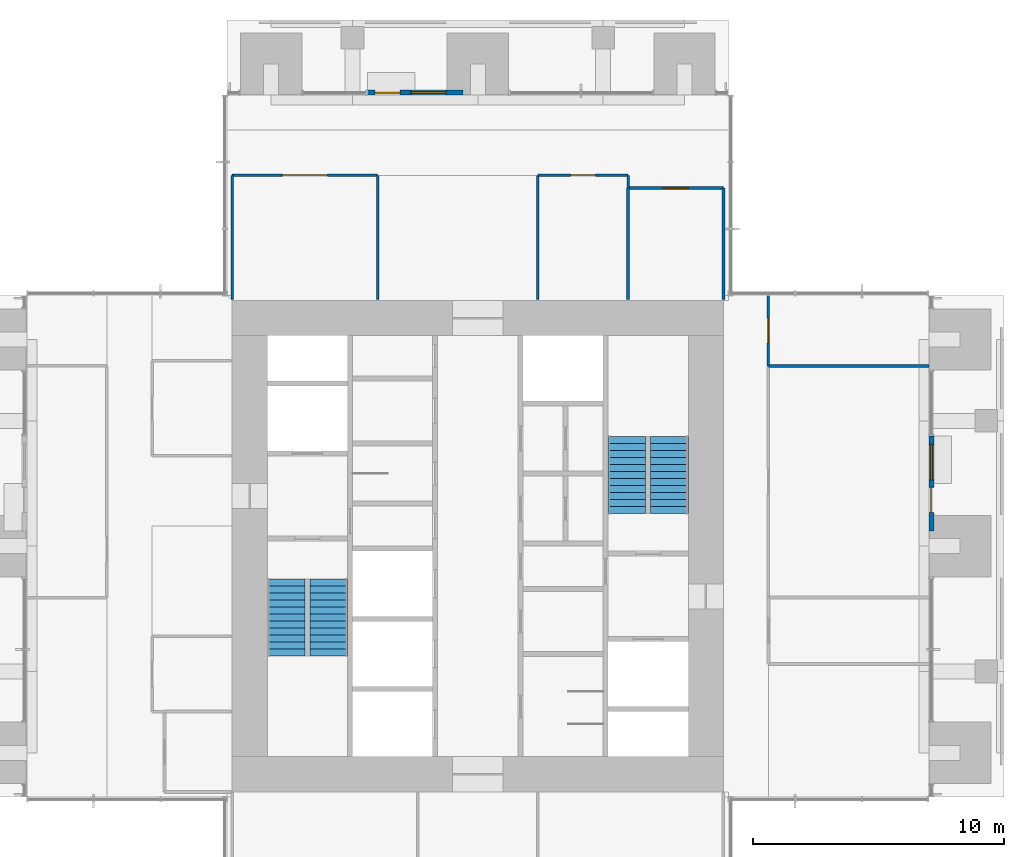
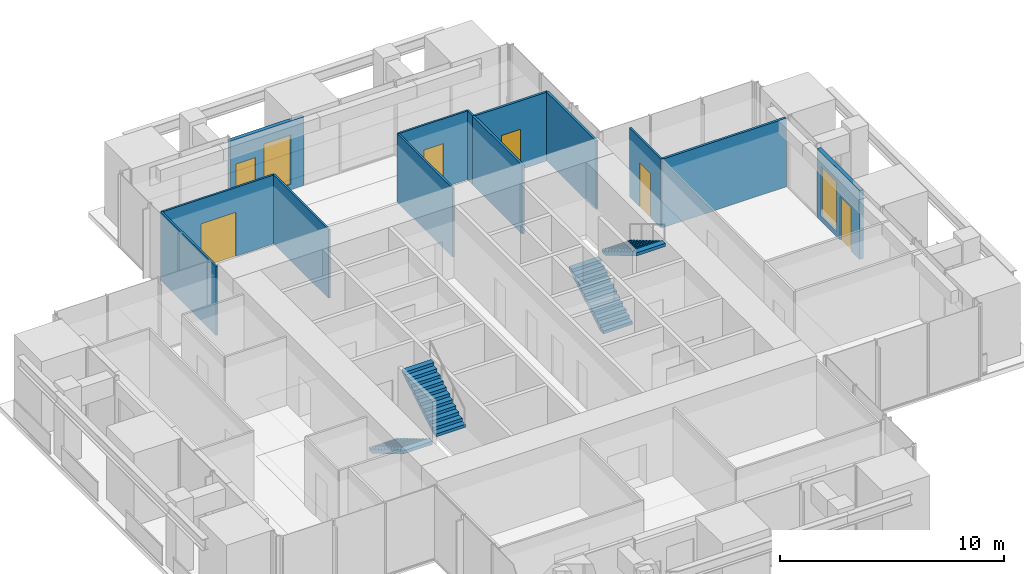
# One storey, part 14 of 17: 13 walls, 6 doors, 4 stair flights, 2 windows, 8 openings, 2 elements without a shape of their own.
"""IFC4 building model written with IfcOpenShell, lengths in metres."""

from ifc_helpers import new_model, si_unit, direction, frame, frame_2d, origin, place, context, subcontext, project, spatial, polyline, rectangle, outline, extrude, material, layer, layer_set, type_object, element, fill, aggregate, save


model = new_model("IFC4")

# Units and contexts
model_context = context("Model", 3, precision=1e-05, world=origin(), true_north=direction((0.0, 1.0)))
body_context = subcontext(model_context, "Body", "Model", "MODEL_VIEW")
ifc_project = project(units=[si_unit("LENGTHUNIT", "METRE"), si_unit("AREAUNIT", "SQUARE_METRE"), si_unit("VOLUMEUNIT", "CUBIC_METRE"), si_unit("PLANEANGLEUNIT", "RADIAN"), si_unit("MASSUNIT", "GRAM", prefix="KILO")], contexts=[model_context])

# Site, building, storey
site_placement = place(None, origin())
site = spatial("IfcSite", under=ifc_project, at=site_placement, CompositionType="ELEMENT")
building_placement = place(site_placement, origin())
building = spatial("IfcBuilding", under=site, at=building_placement, Name="Svetlomir Tower", CompositionType="ELEMENT")
storey_placement = place(building_placement, frame((0.0, 0.0, 214.5)))
storey = spatial("IfcBuildingStorey", under=building, at=storey_placement, Name="L51", CompositionType="ELEMENT", Elevation=214.5)

# Wall, openings, door, window
ifc_material_1 = material(Name="Bronze anodised aluminium glazed screen", Category="aluminium")
ifc_layer_1 = layer(ifc_material_1, 0.199951171875)
ifc_layer_set_1 = layer_set([ifc_layer_1], Name="Bronze anodised aluminium glazed screen")
wall_type_1 = type_object("IfcWallType", Name="BALCONY SCREEN WALL 200", PredefinedType="USERDEFINED", material=ifc_layer_set_1)
wall_1_placement = place(storey_placement, frame((39.10009765625, 21.60009765625, 0.0), z_axis=(0.0, 0.0, 1.0), x_axis=(0.0, 1.0, 0.0)))
wall_1 = element("IfcWall", 1, at=wall_1_placement, inside=storey, type_object=wall_type_1, Name="Balcony screen E", ObjectType="GLAZED SCREEN", PredefinedType="USERDEFINED", context=body_context, shape_type="SweptSolid", body=[
    extrude(rectangle(XDim=3.7998046875, YDim=0.199951171875, at=frame_2d((1.89990234375, 0.0))), origin(), (0.0, 0.0, 1.0), 3.75),
])
opening_1_placement = place(wall_1_placement, frame((0.75, 0.0, 0.0)))
opening_1 = element("IfcOpeningElement", 2, at=opening_1_placement, cuts=wall_1, Name="Opening BD", PredefinedType="OPENING", context=body_context, shape_type="SweptSolid", body=[
    extrude(rectangle(XDim=1.0, YDim=2.39990234375, at=frame_2d((0.5, 1.199951171875))), frame((0.0, 0.10986328125, 0.0), z_axis=(0.0, -1.0, 0.0), x_axis=(1.0, 0.0, 0.0)), (0.0, 0.0, 1.0), 0.219970703125),
])
opening_2_placement = place(wall_1_placement, frame((2.050048828125, 0.0, 0.300048828125)))
opening_2 = element("IfcOpeningElement", 3, at=opening_2_placement, cuts=wall_1, Name="Opening WS2", PredefinedType="OPENING", context=body_context, shape_type="SweptSolid", body=[
    extrude(rectangle(XDim=1.39990234375, YDim=2.699951171875, at=frame_2d((0.699951171875, 1.35009765625))), frame((0.0, 0.10986328125, 0.0), z_axis=(0.0, -1.0, 0.0), x_axis=(1.0, 0.0, 0.0)), (0.0, 0.0, 1.0), 0.219970703125),
])
ifc_material_2 = material(Name="Bronze anodised aluminium glazed door", Category="aluminium")
door_type_1 = type_object("IfcDoorType", Name="BALCONY DOOR BD 1000x2400", OperationType="SINGLE_SWING_LEFT", PredefinedType="DOOR", material=ifc_material_2)
door_1_placement = place(opening_1_placement, origin())
door_1 = element("IfcDoor", 4, at=door_1_placement, inside=storey, type_object=door_type_1, Name="Balcony screen E door", OperationType="SINGLE_SWING_LEFT", OverallHeight=2.39990234375, OverallWidth=1.0, PredefinedType="DOOR", context=body_context, shape_type="SweptSolid", body=[
    extrude(rectangle(XDim=1.0, YDim=2.39990234375, at=frame_2d((0.5, 1.199951171875))), frame((0.0, 0.02490234375, 0.0), z_axis=(0.0, -1.0, 0.0), x_axis=(1.0, 0.0, 0.0)), (0.0, 0.0, 1.0), 0.050048828125),
])
fill(opening_1, door_1)
ifc_material_3 = material(Name="Bronze anodised aluminium window", Category="aluminium")
window_type = type_object("IfcWindowType", Name="SCREEN WINDOW WS2 1400x2700", PartitioningType="SINGLE_PANEL", PredefinedType="WINDOW", material=ifc_material_3)
window_1_placement = place(opening_2_placement, origin())
window_1 = element("IfcWindow", 5, at=window_1_placement, inside=storey, type_object=window_type, Name="Balcony screen E window 1", OverallHeight=2.699951171875, OverallWidth=1.39990234375, PartitioningType="SINGLE_PANEL", PredefinedType="WINDOW", context=body_context, shape_type="SweptSolid", body=[
    extrude(rectangle(XDim=1.39990234375, YDim=2.699951171875, at=frame_2d((0.699951171875, 1.35009765625))), frame((0.0, 0.030029296875, 0.0), z_axis=(0.0, -1.0, 0.0), x_axis=(1.0, 0.0, 0.0)), (0.0, 0.0, 1.0), 0.06005859375),
])
fill(opening_2, window_1)

wall_2_placement = place(storey_placement, frame((20.39990234375, 39.10009765625, 0.0), z_axis=(0.0, 0.0, 1.0), x_axis=(-1.0, 0.0, 0.0)))
wall_2 = element("IfcWall", 6, at=wall_2_placement, inside=storey, type_object=wall_type_1, Name="Balcony screen N", ObjectType="GLAZED SCREEN", PredefinedType="USERDEFINED", context=body_context, shape_type="SweptSolid", body=[
    extrude(rectangle(XDim=3.7998046875, YDim=0.199951171875, at=frame_2d((1.89990234375, 0.0))), origin(), (0.0, 0.0, 1.0), 3.75),
])
opening_3_placement = place(wall_2_placement, frame((2.5, 0.0, 0.0)))
opening_3 = element("IfcOpeningElement", 7, at=opening_3_placement, cuts=wall_2, Name="Opening BD", PredefinedType="OPENING", context=body_context, shape_type="SweptSolid", body=[
    extrude(rectangle(XDim=1.0, YDim=2.39990234375, at=frame_2d((0.5, 1.199951171875))), frame((0.0, 0.10986328125, 0.0), z_axis=(0.0, -1.0, 0.0), x_axis=(1.0, 0.0, 0.0)), (0.0, 0.0, 1.0), 0.219970703125),
])
opening_4_placement = place(wall_2_placement, frame((0.675048828125, 0.0, 0.300048828125)))
opening_4 = element("IfcOpeningElement", 8, at=opening_4_placement, cuts=wall_2, Name="Opening WS2", PredefinedType="OPENING", context=body_context, shape_type="SweptSolid", body=[
    extrude(rectangle(XDim=1.39990234375, YDim=2.699951171875, at=frame_2d((0.699951171875, 1.35009765625))), frame((0.0, 0.10986328125, 0.0), z_axis=(0.0, -1.0, 0.0), x_axis=(1.0, 0.0, 0.0)), (0.0, 0.0, 1.0), 0.219970703125),
])
door_2_placement = place(opening_3_placement, origin())
door_2 = element("IfcDoor", 9, at=door_2_placement, inside=storey, type_object=door_type_1, Name="Balcony screen N door", OperationType="SINGLE_SWING_LEFT", OverallHeight=2.39990234375, OverallWidth=1.0, PredefinedType="DOOR", context=body_context, shape_type="SweptSolid", body=[
    extrude(rectangle(XDim=1.0, YDim=2.39990234375, at=frame_2d((0.5, 1.199951171875))), frame((0.0, 0.02490234375, 0.0), z_axis=(0.0, -1.0, 0.0), x_axis=(1.0, 0.0, 0.0)), (0.0, 0.0, 1.0), 0.050048828125),
])
fill(opening_3, door_2)
window_2_placement = place(opening_4_placement, origin())
window_2 = element("IfcWindow", 10, at=window_2_placement, inside=storey, type_object=window_type, Name="Balcony screen N window 1", OverallHeight=2.699951171875, OverallWidth=1.39990234375, PartitioningType="SINGLE_PANEL", PredefinedType="WINDOW", context=body_context, shape_type="SweptSolid", body=[
    extrude(rectangle(XDim=1.39990234375, YDim=2.699951171875, at=frame_2d((0.699951171875, 1.35009765625))), frame((0.0, 0.030029296875, 0.0), z_axis=(0.0, -1.0, 0.0), x_axis=(1.0, 0.0, 0.0)), (0.0, 0.0, 1.0), 0.06005859375),
])
fill(opening_4, window_2)

# Wall
ifc_material_4 = material(Name="Framed laminated glass partition", Category="glass")
ifc_layer_2 = layer(ifc_material_4, 0.10009765625)
ifc_layer_set_2 = layer_set([ifc_layer_2], Name="Framed laminated glass partition")
wall_type_2 = type_object("IfcWallType", Name="GLAZED PARTITION 100", PredefinedType="PARTITIONING", material=ifc_layer_set_2)
wall_3_placement = place(storey_placement, frame((11.199951171875, 30.85009765625, 0.0), z_axis=(0.0, 0.0, 1.0), x_axis=(0.0, 1.0, 0.0)))
element("IfcWall", 11, at=wall_3_placement, inside=storey, type_object=wall_type_2, Name="Glazed partition L51", PredefinedType="PARTITIONING", context=body_context, shape_type="SweptSolid", body=[
    extrude(rectangle(XDim=4.949951171875, YDim=0.10009765625, at=frame_2d((2.47509765625, 0.0))), origin(), (0.0, 0.0, 1.0), 3.75),
])

# Wall, opening, door
wall_4_placement = place(storey_placement, frame((11.199951171875, 35.800048828125, 0.0), z_axis=(0.0, 0.0, 1.0), x_axis=(1.0, 0.0, 0.0)))
wall_4 = element("IfcWall", 12, at=wall_4_placement, inside=storey, type_object=wall_type_2, Name="Glazed partition L51", PredefinedType="PARTITIONING", context=body_context, shape_type="SweptSolid", body=[
    extrude(rectangle(XDim=5.800048828125, YDim=0.10009765625, at=frame_2d((2.89990234375, 0.0))), origin(), (0.0, 0.0, 1.0), 3.75),
])
opening_5_placement = place(wall_4_placement, frame((2.0, 0.0, 0.0)))
opening_5 = element("IfcOpeningElement", 13, at=opening_5_placement, cuts=wall_4, Name="Opening DD", PredefinedType="OPENING", context=body_context, shape_type="SweptSolid", body=[
    extrude(rectangle(XDim=1.800048828125, YDim=2.39990234375, at=frame_2d((0.89990234375, 1.199951171875))), frame((0.0, 0.06005859375, 0.0), z_axis=(0.0, -1.0, 0.0), x_axis=(1.0, 0.0, 0.0)), (0.0, 0.0, 1.0), 0.1201171875),
])
ifc_material_5 = material(Name="Timber door", Category="wood")
door_type_2 = type_object("IfcDoorType", Name="DOOR DD 1800x2400", OperationType="DOUBLE_DOOR_SINGLE_SWING", PredefinedType="DOOR", material=ifc_material_5)
door_3_placement = place(opening_5_placement, origin())
door_3 = element("IfcDoor", 14, at=door_3_placement, inside=storey, type_object=door_type_2, Name="Training room, 14 seats door L51", OperationType="DOUBLE_DOOR_SINGLE_SWING", OverallHeight=2.39990234375, OverallWidth=1.800048828125, PredefinedType="DOOR", context=body_context, shape_type="SweptSolid", body=[
    extrude(rectangle(XDim=1.800048828125, YDim=2.39990234375, at=frame_2d((0.89990234375, 1.199951171875))), frame((0.0, 0.02490234375, 0.0), z_axis=(0.0, -1.0, 0.0), x_axis=(1.0, 0.0, 0.0)), (0.0, 0.0, 1.0), 0.050048828125),
])
fill(opening_5, door_3)

# Walls
for number, where, z_axis, x_axis, name in (
    (15, (17.0, 30.85009765625, 0.0), (0.0, 0.0, 1.0), (0.0, 1.0, 0.0), "Glazed partition L51"),
    (16, (23.39990234375, 30.85009765625, 0.0), (0.0, 0.0, 1.0), (0.0, 1.0, 0.0), "Glazed partition L51"),
):
    element("IfcWall", number, at=place(storey_placement, frame(where, z_axis=z_axis, x_axis=x_axis)), inside=storey, type_object=wall_type_2, Name=name, PredefinedType="PARTITIONING", context=body_context, shape_type="SweptSolid", body=[
        extrude(rectangle(XDim=4.949951171875, YDim=0.10009765625, at=frame_2d((2.47509765625, 0.0))), origin(), (0.0, 0.0, 1.0), 3.75),
    ])

# Wall, opening, door
wall_5_placement = place(storey_placement, frame((23.39990234375, 35.800048828125, 0.0), z_axis=(0.0, 0.0, 1.0), x_axis=(1.0, 0.0, 0.0)))
wall_5 = element("IfcWall", 17, at=wall_5_placement, inside=storey, type_object=wall_type_2, Name="Glazed partition L51", PredefinedType="PARTITIONING", context=body_context, shape_type="SweptSolid", body=[
    extrude(rectangle(XDim=3.60009765625, YDim=0.10009765625, at=frame_2d((1.800048828125, 0.0))), origin(), (0.0, 0.0, 1.0), 3.75),
])
opening_6_placement = place(wall_5_placement, frame((1.300048828125, 0.0, 0.0)))
opening_6 = element("IfcOpeningElement", 18, at=opening_6_placement, cuts=wall_5, Name="Opening DG", PredefinedType="OPENING", context=body_context, shape_type="SweptSolid", body=[
    extrude(rectangle(XDim=1.0, YDim=2.39990234375, at=frame_2d((0.5, 1.199951171875))), frame((0.0, 0.06005859375, 0.0), z_axis=(0.0, -1.0, 0.0), x_axis=(1.0, 0.0, 0.0)), (0.0, 0.0, 1.0), 0.1201171875),
])
ifc_material_6 = material(Name="Framed laminated glass door", Category="glass")
door_type_3 = type_object("IfcDoorType", Name="GLAZED DOOR DG 1000x2400", OperationType="SINGLE_SWING_LEFT", PredefinedType="DOOR", material=ifc_material_6)
door_4_placement = place(opening_6_placement, origin())
door_4 = element("IfcDoor", 19, at=door_4_placement, inside=storey, type_object=door_type_3, Name="Meeting room, 6 seats door L51", OperationType="SINGLE_SWING_RIGHT", OverallHeight=2.39990234375, OverallWidth=1.0, PredefinedType="DOOR", context=body_context, shape_type="SweptSolid", body=[
    extrude(rectangle(XDim=1.0, YDim=2.39990234375, at=frame_2d((0.5, 1.199951171875))), frame((0.0, 0.02490234375, 0.0), z_axis=(0.0, -1.0, 0.0), x_axis=(1.0, 0.0, 0.0)), (0.0, 0.0, 1.0), 0.050048828125),
])
fill(opening_6, door_4)

# Wall
wall_6_placement = place(storey_placement, frame((27.0, 35.300048828125, 0.0), z_axis=(0.0, 0.0, 1.0), x_axis=(0.0, 1.0, 0.0)))
element("IfcWall", 20, at=wall_6_placement, inside=storey, type_object=wall_type_2, Name="Glazed partition L51", PredefinedType="PARTITIONING", context=body_context, shape_type="SweptSolid", body=[
    extrude(rectangle(XDim=0.5, YDim=0.10009765625, at=frame_2d((0.25, 0.0))), origin(), (0.0, 0.0, 1.0), 3.75),
])

# Wall, opening, door
wall_7_placement = place(storey_placement, frame((32.60009765625, 28.199951171875, 0.0), z_axis=(0.0, 0.0, 1.0), x_axis=(0.0, 1.0, 0.0)))
wall_7 = element("IfcWall", 21, at=wall_7_placement, inside=storey, type_object=wall_type_2, Name="Glazed partition L51", PredefinedType="PARTITIONING", context=body_context, shape_type="SweptSolid", body=[
    extrude(rectangle(XDim=2.800048828125, YDim=0.10009765625, at=frame_2d((1.39990234375, 0.0))), origin(), (0.0, 0.0, 1.0), 3.75),
])
opening_7_placement = place(wall_7_placement, frame((0.89990234375, 0.0, 0.0)))
opening_7 = element("IfcOpeningElement", 22, at=opening_7_placement, cuts=wall_7, Name="Opening DG", PredefinedType="OPENING", context=body_context, shape_type="SweptSolid", body=[
    extrude(rectangle(XDim=1.0, YDim=2.39990234375, at=frame_2d((0.5, 1.199951171875))), frame((0.0, 0.06005859375, 0.0), z_axis=(0.0, -1.0, 0.0), x_axis=(1.0, 0.0, 0.0)), (0.0, 0.0, 1.0), 0.1201171875),
])
door_5_placement = place(opening_7_placement, origin())
door_5 = element("IfcDoor", 23, at=door_5_placement, inside=storey, type_object=door_type_3, Name="Coaching room door L51", OperationType="SINGLE_SWING_RIGHT", OverallHeight=2.39990234375, OverallWidth=1.0, PredefinedType="DOOR", context=body_context, shape_type="SweptSolid", body=[
    extrude(rectangle(XDim=1.0, YDim=2.39990234375, at=frame_2d((0.5, 1.199951171875))), frame((0.0, 0.02490234375, 0.0), z_axis=(0.0, -1.0, 0.0), x_axis=(1.0, 0.0, 0.0)), (0.0, 0.0, 1.0), 0.050048828125),
])
fill(opening_7, door_5)

# Wall
ifc_material_7 = material(Name="Gypsum board on steel studs", Category="steel")
ifc_layer_3 = layer(ifc_material_7, 0.1201171875)
ifc_layer_set_3 = layer_set([ifc_layer_3], Name="Gypsum board on steel studs")
wall_type_3 = type_object("IfcWallType", Name="PARTITION 120", PredefinedType="PARTITIONING", material=ifc_layer_set_3)
wall_8_placement = place(storey_placement, frame((27.0, 30.85009765625, 0.0), z_axis=(0.0, 0.0, 1.0), x_axis=(0.0, 1.0, 0.0)))
element("IfcWall", 24, at=wall_8_placement, inside=storey, type_object=wall_type_3, Name="Partition L51", PredefinedType="PARTITIONING", context=body_context, shape_type="SweptSolid", body=[
    extrude(rectangle(XDim=4.449951171875, YDim=0.1201171875, at=frame_2d((2.22509765625, 0.0))), origin(), (0.0, 0.0, 1.0), 3.75),
])

# Wall, opening, door
wall_9_placement = place(storey_placement, frame((27.0, 35.300048828125, 0.0), z_axis=(0.0, 0.0, 1.0), x_axis=(1.0, 0.0, 0.0)))
wall_9 = element("IfcWall", 25, at=wall_9_placement, inside=storey, type_object=wall_type_3, Name="Partition L51", PredefinedType="PARTITIONING", context=body_context, shape_type="SweptSolid", body=[
    extrude(rectangle(XDim=3.800048828125, YDim=0.1201171875, at=frame_2d((1.89990234375, 0.0))), origin(), (0.0, 0.0, 1.0), 3.75),
])
opening_8_placement = place(wall_9_placement, frame((1.39990234375, 0.0, 0.0)))
opening_8 = element("IfcOpeningElement", 26, at=opening_8_placement, cuts=wall_9, Name="Opening DR", PredefinedType="OPENING", context=body_context, shape_type="SweptSolid", body=[
    extrude(rectangle(XDim=1.0, YDim=2.199951171875, at=frame_2d((0.5, 1.10009765625))), frame((0.0, 0.070068359375, 0.0), z_axis=(0.0, -1.0, 0.0), x_axis=(1.0, 0.0, 0.0)), (0.0, 0.0, 1.0), 0.14013671875),
])
ifc_material_8 = material(Name="Timber door, glazed side light", Category="wood")
door_type_4 = type_object("IfcDoorType", Name="DOOR DR 1000x2200", OperationType="SINGLE_SWING_LEFT", PredefinedType="DOOR", material=ifc_material_8)
door_6_placement = place(opening_8_placement, origin())
door_6 = element("IfcDoor", 27, at=door_6_placement, inside=storey, type_object=door_type_4, Name="Training store door L51", OperationType="SINGLE_SWING_LEFT", OverallHeight=2.199951171875, OverallWidth=1.0, PredefinedType="DOOR", context=body_context, shape_type="SweptSolid", body=[
    extrude(rectangle(XDim=1.0, YDim=2.199951171875, at=frame_2d((0.5, 1.10009765625))), frame((0.0, 0.02490234375, 0.0), z_axis=(0.0, -1.0, 0.0), x_axis=(1.0, 0.0, 0.0)), (0.0, 0.0, 1.0), 0.050048828125),
])
fill(opening_8, door_6)

# Walls
wall_10_placement = place(storey_placement, frame((30.800048828125, 30.85009765625, 0.0), z_axis=(0.0, 0.0, 1.0), x_axis=(0.0, 1.0, 0.0)))
element("IfcWall", 28, at=wall_10_placement, inside=storey, type_object=wall_type_3, Name="Partition L51", PredefinedType="PARTITIONING", context=body_context, shape_type="SweptSolid", body=[
    extrude(rectangle(XDim=4.449951171875, YDim=0.1201171875, at=frame_2d((2.22509765625, 0.0))), origin(), (0.0, 0.0, 1.0), 3.75),
])
wall_11_placement = place(storey_placement, frame((32.60009765625, 28.199951171875, 0.0), z_axis=(0.0, 0.0, 1.0), x_axis=(1.0, 0.0, 0.0)))
element("IfcWall", 29, at=wall_11_placement, inside=storey, type_object=wall_type_3, Name="Partition L51", PredefinedType="PARTITIONING", context=body_context, shape_type="SweptSolid", body=[
    extrude(rectangle(XDim=6.39990234375, YDim=0.1201171875, at=frame_2d((3.199951171875, 0.0))), origin(), (0.0, 0.0, 1.0), 3.75),
])

# Stair, stair flights
ifc_material_9 = material(Name="Concrete C60/75", Category="concrete")
stair_type = type_object("IfcStairType", Name="EXIT STAIR 3200 RISE 4000", PredefinedType="HALF_TURN_STAIR", material=ifc_material_9)
stair_1_placement = place(storey_placement, origin())
stair_1 = element("IfcStair", 30, at=stair_1_placement, inside=storey, type_object=stair_type, Name="Stair S1 L51 to L52", PredefinedType="HALF_TURN_STAIR")
ifc_material_10 = material(Name="Concrete C60/75", Category="concrete")
stair_flight_type = type_object("IfcStairFlightType", Name="STAIR FLIGHT 1500 OF 12 RISERS", PredefinedType="STRAIGHT", material=ifc_material_10)
stair_flight_1_placement = place(storey_placement, frame((13.35009765625, 19.699951171875, 0.0), z_axis=(0.0, 0.0, 1.0), x_axis=(0.0, -1.0, 0.0)))
stair_flight_1 = element("IfcStairFlight", 31, at=stair_flight_1_placement, type_object=stair_flight_type, Name="S1 flight 1", NumberOfRisers=12, NumberOfTreads=11, PredefinedType="STRAIGHT", RiserHeight=0.166666667, TreadLength=0.28, context=body_context, shape_type="SweptSolid", body=[
    extrude(outline(polyline([(0.0, 0.0), (0.0, 0.166748046875), (0.280029296875, 0.166748046875), (0.280029296875, 0.333251953125), (0.56005859375, 0.333251953125), (0.56005859375, 0.5), (0.840087890625, 0.5), (0.840087890625, 0.666748046875), (1.1201171875, 0.666748046875), (1.1201171875, 0.833251953125), (1.39990234375, 0.833251953125), (1.39990234375, 1.0), (1.679931640625, 1.0), (1.679931640625, 1.166748046875), (1.9599609375, 1.166748046875), (1.9599609375, 1.333251953125), (2.239990234375, 1.333251953125), (2.239990234375, 1.5), (2.52001953125, 1.5), (2.52001953125, 1.666748046875), (2.800048828125, 1.666748046875), (2.800048828125, 1.833251953125), (3.080078125, 1.833251953125), (3.080078125, 2.0), (3.080078125, 1.658935546875), (0.29296875, 0.0), (0.0, 0.0)])), frame((0.0, 0.75, 0.0), z_axis=(0.0, -1.0, 0.0), x_axis=(1.0, 0.0, 0.0)), (0.0, 0.0, 1.0), 1.5),
])
stair_flight_2_placement = place(storey_placement, frame((15.050048828125, 16.6201171875, 2.0), z_axis=(0.0, 0.0, 1.0), x_axis=(0.0, 1.0, 0.0)))
stair_flight_2 = element("IfcStairFlight", 32, at=stair_flight_2_placement, type_object=stair_flight_type, Name="S1 flight 2", NumberOfRisers=12, NumberOfTreads=11, PredefinedType="STRAIGHT", RiserHeight=0.166666667, TreadLength=0.28, context=body_context, shape_type="SweptSolid", body=[
    extrude(outline(polyline([(0.0, 0.0), (0.0, 0.166748046875), (0.280029296875, 0.166748046875), (0.280029296875, 0.333251953125), (0.56005859375, 0.333251953125), (0.56005859375, 0.5), (0.840087890625, 0.5), (0.840087890625, 0.666748046875), (1.1201171875, 0.666748046875), (1.1201171875, 0.833251953125), (1.39990234375, 0.833251953125), (1.39990234375, 1.0), (1.679931640625, 1.0), (1.679931640625, 1.166748046875), (1.9599609375, 1.166748046875), (1.9599609375, 1.333251953125), (2.239990234375, 1.333251953125), (2.239990234375, 1.5), (2.52001953125, 1.5), (2.52001953125, 1.666748046875), (2.800048828125, 1.666748046875), (2.800048828125, 1.833251953125), (3.080078125, 1.833251953125), (3.080078125, 2.0), (3.080078125, 1.658935546875), (0.29296875, 0.0), (0.0, 0.0)])), frame((0.0, 0.75, 0.0), z_axis=(0.0, -1.0, 0.0), x_axis=(1.0, 0.0, 0.0)), (0.0, 0.0, 1.0), 1.5),
])
aggregate(stair_1, [stair_flight_1, stair_flight_2])

stair_2_placement = place(storey_placement, origin())
stair_2 = element("IfcStair", 33, at=stair_2_placement, inside=storey, type_object=stair_type, Name="Stair S2 L51 to L52", PredefinedType="HALF_TURN_STAIR")
stair_flight_3_placement = place(storey_placement, frame((26.949951171875, 22.300048828125, 0.0), z_axis=(0.0, 0.0, 1.0), x_axis=(0.0, 1.0, 0.0)))
stair_flight_3 = element("IfcStairFlight", 34, at=stair_flight_3_placement, type_object=stair_flight_type, Name="S2 flight 1", NumberOfRisers=12, NumberOfTreads=11, PredefinedType="STRAIGHT", RiserHeight=0.166666667, TreadLength=0.28, context=body_context, shape_type="SweptSolid", body=[
    extrude(outline(polyline([(0.0, 0.0), (0.0, 0.166748046875), (0.280029296875, 0.166748046875), (0.280029296875, 0.333251953125), (0.56005859375, 0.333251953125), (0.56005859375, 0.5), (0.840087890625, 0.5), (0.840087890625, 0.666748046875), (1.1201171875, 0.666748046875), (1.1201171875, 0.833251953125), (1.39990234375, 0.833251953125), (1.39990234375, 1.0), (1.679931640625, 1.0), (1.679931640625, 1.166748046875), (1.9599609375, 1.166748046875), (1.9599609375, 1.333251953125), (2.239990234375, 1.333251953125), (2.239990234375, 1.5), (2.52001953125, 1.5), (2.52001953125, 1.666748046875), (2.800048828125, 1.666748046875), (2.800048828125, 1.833251953125), (3.080078125, 1.833251953125), (3.080078125, 2.0), (3.080078125, 1.658935546875), (0.29296875, 0.0), (0.0, 0.0)])), frame((0.0, 0.75, 0.0), z_axis=(0.0, -1.0, 0.0), x_axis=(1.0, 0.0, 0.0)), (0.0, 0.0, 1.0), 1.5),
])
stair_flight_4_placement = place(storey_placement, frame((28.64990234375, 25.3798828125, 2.0), z_axis=(0.0, 0.0, 1.0), x_axis=(0.0, -1.0, 0.0)))
stair_flight_4 = element("IfcStairFlight", 35, at=stair_flight_4_placement, type_object=stair_flight_type, Name="S2 flight 2", NumberOfRisers=12, NumberOfTreads=11, PredefinedType="STRAIGHT", RiserHeight=0.166666667, TreadLength=0.28, context=body_context, shape_type="SweptSolid", body=[
    extrude(outline(polyline([(0.0, 0.0), (0.0, 0.166748046875), (0.280029296875, 0.166748046875), (0.280029296875, 0.333251953125), (0.56005859375, 0.333251953125), (0.56005859375, 0.5), (0.840087890625, 0.5), (0.840087890625, 0.666748046875), (1.1201171875, 0.666748046875), (1.1201171875, 0.833251953125), (1.39990234375, 0.833251953125), (1.39990234375, 1.0), (1.679931640625, 1.0), (1.679931640625, 1.166748046875), (1.9599609375, 1.166748046875), (1.9599609375, 1.333251953125), (2.239990234375, 1.333251953125), (2.239990234375, 1.5), (2.52001953125, 1.5), (2.52001953125, 1.666748046875), (2.800048828125, 1.666748046875), (2.800048828125, 1.833251953125), (3.080078125, 1.833251953125), (3.080078125, 2.0), (3.080078125, 1.658935546875), (0.29296875, 0.0), (0.0, 0.0)])), frame((0.0, 0.75, 0.0), z_axis=(0.0, -1.0, 0.0), x_axis=(1.0, 0.0, 0.0)), (0.0, 0.0, 1.0), 1.5),
])
aggregate(stair_2, [stair_flight_3, stair_flight_4])

save(model, "model.ifc")
